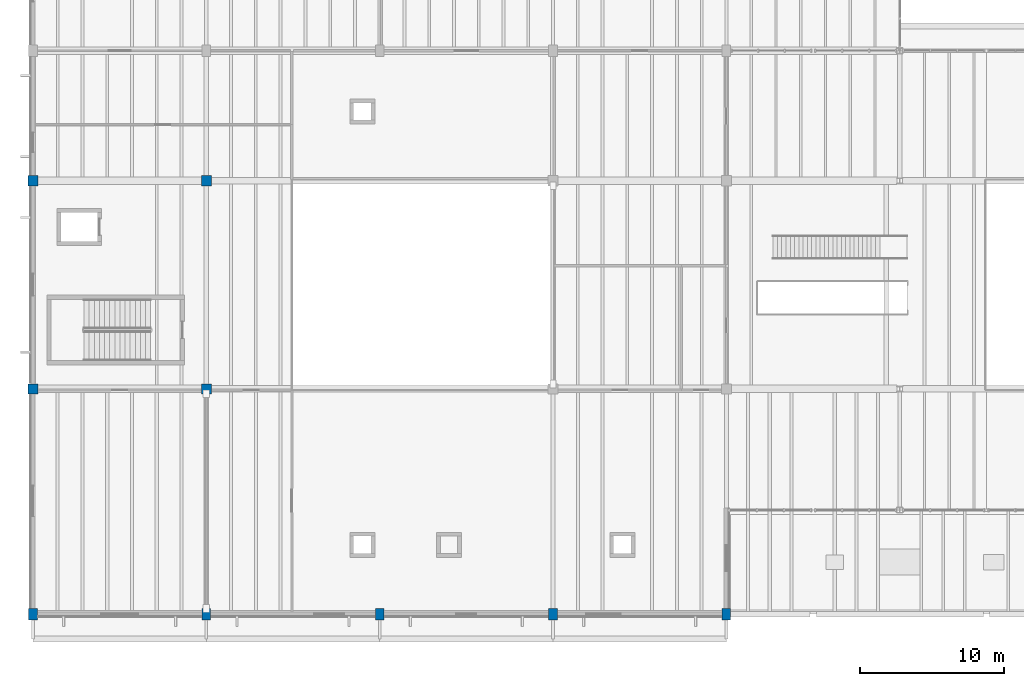
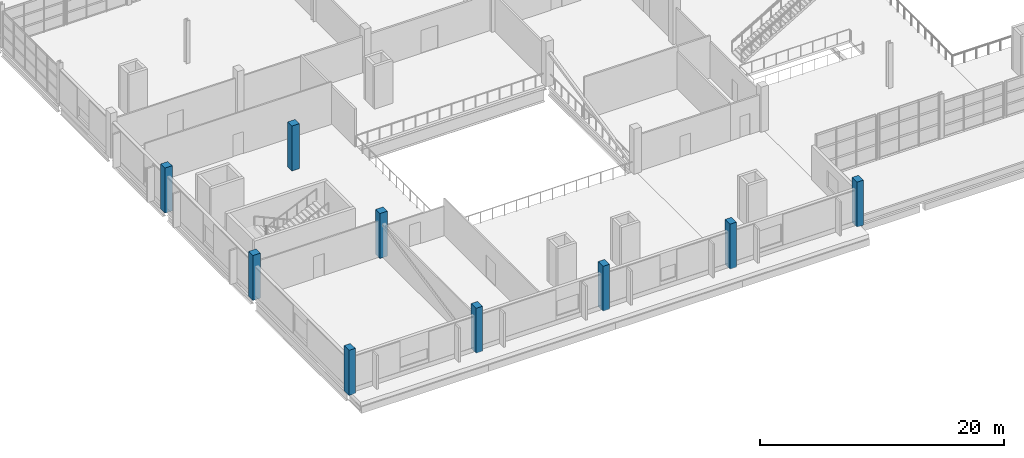
# One storey, part 1 of 114: 9 columns.
"""IFC4 building model written with IfcOpenShell, lengths in metres."""

from ifc_helpers import new_model, si_unit, direction, frame, origin, origin_2d, place, context, subcontext, project, spatial, rectangle, extrude, material, material_profile, profile_set, type_object, element, save


model = new_model("IFC4")

# Units and contexts
model_context = context("Model", 3, precision=1e-05, world=origin(), true_north=direction((0.0, 1.0)))
body_context = subcontext(model_context, "Body", "Model", "MODEL_VIEW")
ifc_project = project(units=[si_unit("LENGTHUNIT", "METRE"), si_unit("AREAUNIT", "SQUARE_METRE"), si_unit("VOLUMEUNIT", "CUBIC_METRE"), si_unit("PLANEANGLEUNIT", "RADIAN"), si_unit("MASSUNIT", "GRAM", prefix="KILO")], contexts=[model_context])

# Site, building, storey
site_placement = place(None, origin())
site = spatial("IfcSite", under=ifc_project, at=site_placement, CompositionType="ELEMENT")
building_placement = place(site_placement, origin())
building = spatial("IfcBuilding", under=site, at=building_placement, Name="Kelmvaro Bay Concert Hall", CompositionType="ELEMENT")
storey_placement = place(building_placement, frame((0.0, 0.0, 4.800048828125)))
storey = spatial("IfcBuildingStorey", under=building, at=storey_placement, Name="L01", CompositionType="ELEMENT", Elevation=4.800048828125)

# Columns
ifc_material_1 = material(Name="Concrete C40/50", Category="concrete")
ifc_material_profile_1 = material_profile(ifc_material_1, rectangle(XDim=0.699951171875, YDim=0.699951171875, at=origin_2d()), Name="RC-COL-700X700")
ifc_profile_set_1 = profile_set([ifc_material_profile_1], Name="Concrete C40/50")
column_type_1 = type_object("IfcColumnType", Name="Pavilion Mid Column RC700x700", PredefinedType="COLUMN", material=ifc_profile_set_1)
for number, where, z_axis, x_axis, name in (
    (1, (0.0, 15.60009765625, 0.0), (0.0, 0.0, 1.0), (1.0, 0.0, 0.0), "L01 Column V3G-0-156"),
    (2, (0.0, 30.0, 0.0), (0.0, 0.0, 1.0), (1.0, 0.0, 0.0), "L01 Column V3G-0-300"),
    (3, (12.0, 15.60009765625, 0.0), (0.0, 0.0, 1.0), (1.0, 0.0, 0.0), "L01 Column V3G-12-156"),
    (4, (12.0, 30.0, 0.0), (0.0, 0.0, 1.0), (1.0, 0.0, 0.0), "L01 Column V3G-12-300"),
):
    element("IfcColumn", number, at=place(storey_placement, frame(where, z_axis=z_axis, x_axis=x_axis)), inside=storey, type_object=column_type_1, Name=name, PredefinedType="COLUMN", context=body_context, shape_type="SweptSolid", body=[
        extrude(rectangle(XDim=0.699951171875, YDim=0.699951171875, at=origin_2d()), origin(), (0.0, 0.0, 1.0), 4.5),
    ])
ifc_material_2 = material(Name="Concrete C40/50", Category="concrete")
ifc_material_profile_2 = material_profile(ifc_material_2, rectangle(XDim=0.60009765625, YDim=0.800048828125, at=origin_2d()), Name="RC-COL-800X600")
ifc_profile_set_2 = profile_set([ifc_material_profile_2], Name="Concrete C40/50")
column_type_2 = type_object("IfcColumnType", Name="Perimeter Column RC800x600", PredefinedType="COLUMN", material=ifc_profile_set_2)
for number, where, z_axis, x_axis, name in (
    (5, (0.0, 0.0, 0.0), (0.0, 0.0, 1.0), (1.0, 0.0, 0.0), "L01 Column V3P-0-0"),
    (6, (12.0, 0.0, 0.0), (0.0, 0.0, 1.0), (1.0, 0.0, 0.0), "L01 Column V3P-12-0"),
    (7, (24.0, 0.0, 0.0), (0.0, 0.0, 1.0), (1.0, 0.0, 0.0), "L01 Column V3P-24-0"),
    (8, (36.0, 0.0, 0.0), (0.0, 0.0, 1.0), (1.0, 0.0, 0.0), "L01 Column V3P-36-0"),
    (9, (48.0, 0.0, 0.0), (0.0, 0.0, 1.0), (1.0, 0.0, 0.0), "L01 Column V3P-48-0"),
):
    element("IfcColumn", number, at=place(storey_placement, frame(where, z_axis=z_axis, x_axis=x_axis)), inside=storey, type_object=column_type_2, Name=name, PredefinedType="COLUMN", context=body_context, shape_type="SweptSolid", body=[
        extrude(rectangle(XDim=0.60009765625, YDim=0.800048828125, at=origin_2d()), origin(), (0.0, 0.0, 1.0), 4.5),
    ])

save(model, "model.ifc")
